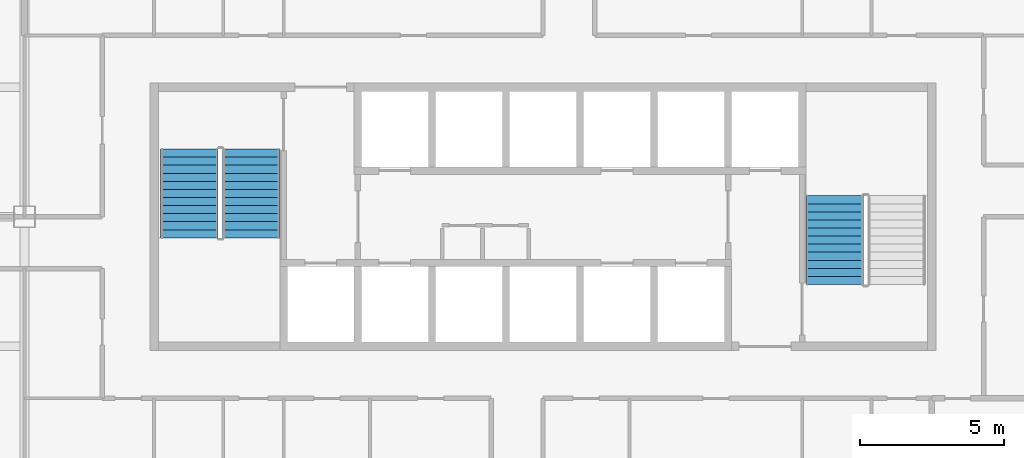
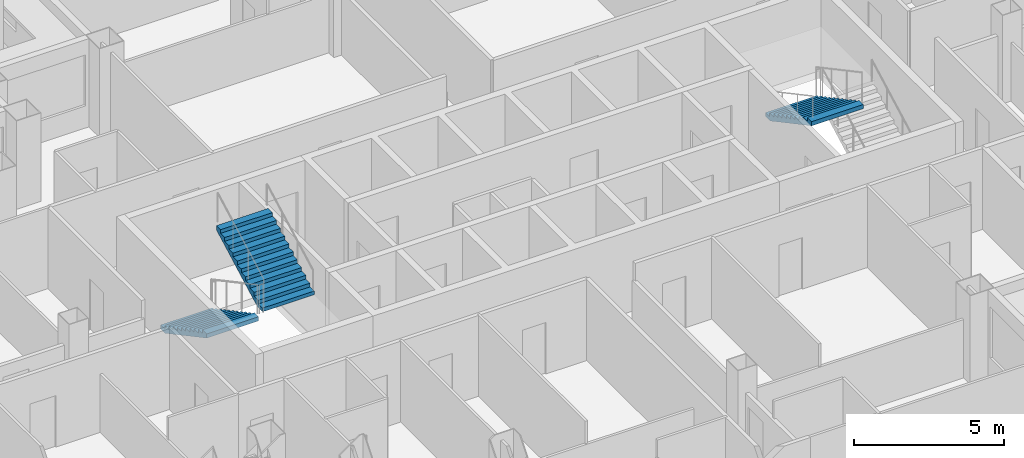
# One storey, part 11 of 19: 3 stair flights, 2 elements without a shape of their own.
"""IFC4 building model written with IfcOpenShell, lengths in metres."""

from ifc_helpers import new_model, si_unit, direction, frame, origin, place, context, subcontext, project, spatial, polygons, material, type_object, element, aggregate, save


model = new_model("IFC4")

# Units and contexts
model_context = context("Model", 3, precision=1e-05, world=origin(), true_north=direction((0.0, 1.0)))
body_context = subcontext(model_context, "Body", "Model", "MODEL_VIEW")
ifc_project = project(units=[si_unit("LENGTHUNIT", "METRE"), si_unit("AREAUNIT", "SQUARE_METRE"), si_unit("VOLUMEUNIT", "CUBIC_METRE"), si_unit("PLANEANGLEUNIT", "RADIAN"), si_unit("MASSUNIT", "GRAM", prefix="KILO")], contexts=[model_context])

# Site, building, storey
site_placement = place(None, origin())
site = spatial("IfcSite", under=ifc_project, at=site_placement, CompositionType="ELEMENT")
building_placement = place(site_placement, origin())
building = spatial("IfcBuilding", under=site, at=building_placement, Name="Caravel Reach Hotel and Residences", CompositionType="ELEMENT")
storey_placement = place(building_placement, frame((0.0, 0.0, 85.199951171875)))
storey = spatial("IfcBuildingStorey", under=building, at=storey_placement, Name="L20", CompositionType="ELEMENT", Elevation=85.199951171875)

# Stair, stair flights
ifc_material_1 = material(Name="Concrete C40", Category="concrete")
stair_type = type_object("IfcStairType", Name="Core stair", PredefinedType="HALF_TURN_STAIR", material=ifc_material_1)
stair_1_placement = place(storey_placement, origin())
stair_1 = element("IfcStair", 1, at=stair_1_placement, inside=storey, type_object=stair_type, Name="L20 Exit stair A", PredefinedType="HALF_TURN_STAIR")
ifc_material_2 = material(Name="Concrete C40", Category="concrete")
stair_flight_type = type_object("IfcStairFlightType", Name="Core stair flight", PredefinedType="STRAIGHT", material=ifc_material_2)
stair_flight_1_placement = place(storey_placement, frame((19.22509765625, 29.35009765625, 0.0), z_axis=(0.0, 0.0, 1.0), x_axis=(0.0, -1.0, 0.0)))
stair_flight_1 = element("IfcStairFlight", 2, at=stair_flight_1_placement, type_object=stair_flight_type, Name="ST-A flight 1", NumberOfRisers=12, NumberOfTreads=11, PredefinedType="STRAIGHT", RiserHeight=0.15, TreadLength=0.28, context=body_context, shape_type="Tessellation", body=[
    polygons([(0.3174408016601862, 1.0, 0.0), (0.3174408016601862, 0.6666666666666667, 0.0), (0.3174408016601862, 0.33333333333333337, 0.0), (0.3174408016601862, 0.0, 0.0), (0.3174408016601862, -0.33333333333333326, 0.0), (0.3174408016601862, -0.6666666666666667, 0.0), (0.3174408016601862, -1.0, 0.0), (3.081, 1.0, 1.479942427682043), (3.081, 0.6666666666666667, 1.479942427682043), (3.081, 0.33333333333333337, 1.479942427682043), (3.081, 0.0, 1.479942427682043), (3.081, -0.33333333333333326, 1.479942427682043), (3.081, -0.6666666666666667, 1.479942427682043), (3.081, -1.0, 1.479942427682043), (3.081, 1.0, 1.65), (3.081, 0.6666666666666667, 1.65), (3.081, 0.33333333333333337, 1.65), (3.081, 0.0, 1.65), (3.081, -0.33333333333333326, 1.65), (3.081, -0.6666666666666667, 1.65), (3.081, -1.0, 1.65), (2.8000000000000003, 1.0, 1.65), (2.8000000000000003, 0.6666666666666667, 1.65), (2.8000000000000003, 0.33333333333333337, 1.65), (2.8000000000000003, 0.0, 1.65), (2.8000000000000003, -0.33333333333333326, 1.65), (2.8000000000000003, -0.6666666666666667, 1.65), (2.8000000000000003, -1.0, 1.65), (2.8000000000000003, 1.0, 1.5), (2.8000000000000003, 0.6666666666666667, 1.5), (2.8000000000000003, 0.33333333333333337, 1.5), (2.8000000000000003, 0.0, 1.5), (2.8000000000000003, -0.33333333333333326, 1.5), (2.8000000000000003, -0.6666666666666667, 1.5), (2.8000000000000003, -1.0, 1.5), (2.5200000000000005, 1.0, 1.5), (2.5200000000000005, 0.6666666666666667, 1.5), (2.5200000000000005, 0.33333333333333337, 1.5), (2.5200000000000005, 0.0, 1.5), (2.5200000000000005, -0.33333333333333326, 1.5), (2.5200000000000005, -0.6666666666666667, 1.5), (2.5200000000000005, -1.0, 1.5), (2.5200000000000005, 1.0, 1.3499999999999999), (2.5200000000000005, 0.6666666666666667, 1.3499999999999999), (2.5200000000000005, 0.33333333333333337, 1.3499999999999999), (2.5200000000000005, 0.0, 1.3499999999999999), (2.5200000000000005, -0.33333333333333326, 1.3499999999999999), (2.5200000000000005, -0.6666666666666667, 1.3499999999999999), (2.5200000000000005, -1.0, 1.3499999999999999), (2.24, 1.0, 1.3499999999999999), (2.24, 0.6666666666666667, 1.3499999999999999), (2.24, 0.33333333333333337, 1.3499999999999999), (2.24, 0.0, 1.3499999999999999), (2.24, -0.33333333333333326, 1.3499999999999999), (2.24, -0.6666666666666667, 1.3499999999999999), (2.24, -1.0, 1.3499999999999999), (2.24, 1.0, 1.2), (2.24, 0.6666666666666667, 1.2), (2.24, 0.33333333333333337, 1.2), (2.24, 0.0, 1.2), (2.24, -0.33333333333333326, 1.2), (2.24, -0.6666666666666667, 1.2), (2.24, -1.0, 1.2), (1.9600000000000002, 1.0, 1.2), (1.9600000000000002, 0.6666666666666667, 1.2), (1.9600000000000002, 0.33333333333333337, 1.2), (1.9600000000000002, 0.0, 1.2), (1.9600000000000002, -0.33333333333333326, 1.2), (1.9600000000000002, -0.6666666666666667, 1.2), (1.9600000000000002, -1.0, 1.2), (1.9600000000000002, 1.0, 1.05), (1.9600000000000002, 0.6666666666666667, 1.05), (1.9600000000000002, 0.33333333333333337, 1.05), (1.9600000000000002, 0.0, 1.05), (1.9600000000000002, -0.33333333333333326, 1.05), (1.9600000000000002, -0.6666666666666667, 1.05), (1.9600000000000002, -1.0, 1.05), (1.6800000000000002, 1.0, 1.05), (1.6800000000000002, 0.6666666666666667, 1.05), (1.6800000000000002, 0.33333333333333337, 1.05), (1.6800000000000002, 0.0, 1.05), (1.6800000000000002, -0.33333333333333326, 1.05), (1.6800000000000002, -0.6666666666666667, 1.05), (1.6800000000000002, -1.0, 1.05), (1.6800000000000002, 1.0, 0.8999999999999999), (1.6800000000000002, 0.6666666666666667, 0.8999999999999999), (1.6800000000000002, 0.33333333333333337, 0.8999999999999999), (1.6800000000000002, 0.0, 0.8999999999999999), (1.6800000000000002, -0.33333333333333326, 0.8999999999999999), (1.6800000000000002, -0.6666666666666667, 0.8999999999999999), (1.6800000000000002, -1.0, 0.8999999999999999), (1.4000000000000001, 1.0, 0.8999999999999999), (1.4000000000000001, 0.6666666666666667, 0.8999999999999999), (1.4000000000000001, 0.33333333333333337, 0.8999999999999999), (1.4000000000000001, 0.0, 0.8999999999999999), (1.4000000000000001, -0.33333333333333326, 0.8999999999999999), (1.4000000000000001, -0.6666666666666667, 0.8999999999999999), (1.4000000000000001, -1.0, 0.8999999999999999), (1.4000000000000001, 1.0, 0.75), (1.4000000000000001, 0.6666666666666667, 0.75), (1.4000000000000001, 0.33333333333333337, 0.75), (1.4000000000000001, 0.0, 0.75), (1.4000000000000001, -0.33333333333333326, 0.75), (1.4000000000000001, -0.6666666666666667, 0.75), (1.4000000000000001, -1.0, 0.75), (1.12, 1.0, 0.75), (1.12, 0.6666666666666667, 0.75), (1.12, 0.33333333333333337, 0.75), (1.12, 0.0, 0.75), (1.12, -0.33333333333333326, 0.75), (1.12, -0.6666666666666667, 0.75), (1.12, -1.0, 0.75), (1.12, 1.0, 0.6), (1.12, 0.6666666666666667, 0.6), (1.12, 0.33333333333333337, 0.6), (1.12, 0.0, 0.6), (1.12, -0.33333333333333326, 0.6), (1.12, -0.6666666666666667, 0.6), (1.12, -1.0, 0.6), (0.8400000000000001, 1.0, 0.6), (0.8400000000000001, 0.6666666666666667, 0.6), (0.8400000000000001, 0.33333333333333337, 0.6), (0.8400000000000001, 0.0, 0.6), (0.8400000000000001, -0.33333333333333326, 0.6), (0.8400000000000001, -0.6666666666666667, 0.6), (0.8400000000000001, -1.0, 0.6), (0.8400000000000001, 1.0, 0.44999999999999996), (0.8400000000000001, 0.6666666666666667, 0.44999999999999996), (0.8400000000000001, 0.33333333333333337, 0.44999999999999996), (0.8400000000000001, 0.0, 0.44999999999999996), (0.8400000000000001, -0.33333333333333326, 0.44999999999999996), (0.8400000000000001, -0.6666666666666667, 0.44999999999999996), (0.8400000000000001, -1.0, 0.44999999999999996), (0.56, 1.0, 0.44999999999999996), (0.56, 0.6666666666666667, 0.44999999999999996), (0.56, 0.33333333333333337, 0.44999999999999996), (0.56, 0.0, 0.44999999999999996), (0.56, -0.33333333333333326, 0.44999999999999996), (0.56, -0.6666666666666667, 0.44999999999999996), (0.56, -1.0, 0.44999999999999996), (0.56, 1.0, 0.3), (0.56, 0.6666666666666667, 0.3), (0.56, 0.33333333333333337, 0.3), (0.56, 0.0, 0.3), (0.56, -0.33333333333333326, 0.3), (0.56, -0.6666666666666667, 0.3), (0.56, -1.0, 0.3), (0.28, 1.0, 0.3), (0.28, 0.6666666666666667, 0.3), (0.28, 0.33333333333333337, 0.3), (0.28, 0.0, 0.3), (0.28, -0.33333333333333326, 0.3), (0.28, -0.6666666666666667, 0.3), (0.28, -1.0, 0.3), (0.28, 1.0, 0.15), (0.28, 0.6666666666666667, 0.15), (0.28, 0.33333333333333337, 0.15), (0.28, 0.0, 0.15), (0.28, -0.33333333333333326, 0.15), (0.28, -0.6666666666666667, 0.15), (0.28, -1.0, 0.15), (-0.001, 1.0, 0.15), (-0.001, 0.6666666666666667, 0.15), (-0.001, 0.33333333333333337, 0.15), (-0.001, 0.0, 0.15), (-0.001, -0.33333333333333326, 0.15), (-0.001, -0.6666666666666667, 0.15), (-0.001, -1.0, 0.15), (-0.001, 1.0, 0.0), (-0.001, 0.6666666666666667, 0.0), (-0.001, 0.33333333333333337, 0.0), (-0.001, 0.0, 0.0), (-0.001, -0.33333333333333326, 0.0), (-0.001, -0.6666666666666667, 0.0), (-0.001, -1.0, 0.0)], [[[169, 162, 155, 148, 141, 134, 127, 120, 113, 106, 99, 92, 85, 78, 71, 64, 57, 50, 43, 36, 29, 22, 15, 8, 1]], [[7, 14, 21, 28, 35, 42, 49, 56, 63, 70, 77, 84, 91, 98, 105, 112, 119, 126, 133, 140, 147, 154, 161, 168, 175]], [[1, 8, 9, 2]], [[2, 9, 10, 3]], [[3, 10, 11, 4]], [[4, 11, 12, 5]], [[5, 12, 13, 6]], [[6, 13, 14, 7]], [[8, 15, 16, 9]], [[9, 16, 17, 10]], [[10, 17, 18, 11]], [[11, 18, 19, 12]], [[12, 19, 20, 13]], [[13, 20, 21, 14]], [[15, 22, 23, 16]], [[16, 23, 24, 17]], [[17, 24, 25, 18]], [[18, 25, 26, 19]], [[19, 26, 27, 20]], [[20, 27, 28, 21]], [[22, 29, 30, 23]], [[23, 30, 31, 24]], [[24, 31, 32, 25]], [[25, 32, 33, 26]], [[26, 33, 34, 27]], [[27, 34, 35, 28]], [[29, 36, 37, 30]], [[30, 37, 38, 31]], [[31, 38, 39, 32]], [[32, 39, 40, 33]], [[33, 40, 41, 34]], [[34, 41, 42, 35]], [[36, 43, 44, 37]], [[37, 44, 45, 38]], [[38, 45, 46, 39]], [[39, 46, 47, 40]], [[40, 47, 48, 41]], [[41, 48, 49, 42]], [[43, 50, 51, 44]], [[44, 51, 52, 45]], [[45, 52, 53, 46]], [[46, 53, 54, 47]], [[47, 54, 55, 48]], [[48, 55, 56, 49]], [[50, 57, 58, 51]], [[51, 58, 59, 52]], [[52, 59, 60, 53]], [[53, 60, 61, 54]], [[54, 61, 62, 55]], [[55, 62, 63, 56]], [[57, 64, 65, 58]], [[58, 65, 66, 59]], [[59, 66, 67, 60]], [[60, 67, 68, 61]], [[61, 68, 69, 62]], [[62, 69, 70, 63]], [[64, 71, 72, 65]], [[65, 72, 73, 66]], [[66, 73, 74, 67]], [[67, 74, 75, 68]], [[68, 75, 76, 69]], [[69, 76, 77, 70]], [[71, 78, 79, 72]], [[72, 79, 80, 73]], [[73, 80, 81, 74]], [[74, 81, 82, 75]], [[75, 82, 83, 76]], [[76, 83, 84, 77]], [[78, 85, 86, 79]], [[79, 86, 87, 80]], [[80, 87, 88, 81]], [[81, 88, 89, 82]], [[82, 89, 90, 83]], [[83, 90, 91, 84]], [[85, 92, 93, 86]], [[86, 93, 94, 87]], [[87, 94, 95, 88]], [[88, 95, 96, 89]], [[89, 96, 97, 90]], [[90, 97, 98, 91]], [[92, 99, 100, 93]], [[93, 100, 101, 94]], [[94, 101, 102, 95]], [[95, 102, 103, 96]], [[96, 103, 104, 97]], [[97, 104, 105, 98]], [[99, 106, 107, 100]], [[100, 107, 108, 101]], [[101, 108, 109, 102]], [[102, 109, 110, 103]], [[103, 110, 111, 104]], [[104, 111, 112, 105]], [[106, 113, 114, 107]], [[107, 114, 115, 108]], [[108, 115, 116, 109]], [[109, 116, 117, 110]], [[110, 117, 118, 111]], [[111, 118, 119, 112]], [[113, 120, 121, 114]], [[114, 121, 122, 115]], [[115, 122, 123, 116]], [[116, 123, 124, 117]], [[117, 124, 125, 118]], [[118, 125, 126, 119]], [[120, 127, 128, 121]], [[121, 128, 129, 122]], [[122, 129, 130, 123]], [[123, 130, 131, 124]], [[124, 131, 132, 125]], [[125, 132, 133, 126]], [[127, 134, 135, 128]], [[128, 135, 136, 129]], [[129, 136, 137, 130]], [[130, 137, 138, 131]], [[131, 138, 139, 132]], [[132, 139, 140, 133]], [[134, 141, 142, 135]], [[135, 142, 143, 136]], [[136, 143, 144, 137]], [[137, 144, 145, 138]], [[138, 145, 146, 139]], [[139, 146, 147, 140]], [[141, 148, 149, 142]], [[142, 149, 150, 143]], [[143, 150, 151, 144]], [[144, 151, 152, 145]], [[145, 152, 153, 146]], [[146, 153, 154, 147]], [[148, 155, 156, 149]], [[149, 156, 157, 150]], [[150, 157, 158, 151]], [[151, 158, 159, 152]], [[152, 159, 160, 153]], [[153, 160, 161, 154]], [[155, 162, 163, 156]], [[156, 163, 164, 157]], [[157, 164, 165, 158]], [[158, 165, 166, 159]], [[159, 166, 167, 160]], [[160, 167, 168, 161]], [[162, 169, 170, 163]], [[163, 170, 171, 164]], [[164, 171, 172, 165]], [[165, 172, 173, 166]], [[166, 173, 174, 167]], [[167, 174, 175, 168]], [[169, 1, 2, 170]], [[170, 2, 3, 171]], [[171, 3, 4, 172]], [[172, 4, 5, 173]], [[173, 5, 6, 174]], [[174, 6, 7, 175]]], closed=True),
])
stair_flight_2_placement = place(storey_placement, frame((21.375, 26.27001953125, 1.800048828125), z_axis=(0.0, 0.0, 1.0), x_axis=(0.0, 1.0, 0.0)))
stair_flight_2 = element("IfcStairFlight", 3, at=stair_flight_2_placement, type_object=stair_flight_type, Name="ST-A flight 2", NumberOfRisers=12, NumberOfTreads=11, PredefinedType="STRAIGHT", RiserHeight=0.15, TreadLength=0.28, context=body_context, shape_type="Tessellation", body=[
    polygons([(0.3174408016601862, 1.0, 0.0), (0.3174408016601862, 0.6666666666666667, 0.0), (0.3174408016601862, 0.33333333333333337, 0.0), (0.3174408016601862, 0.0, 0.0), (0.3174408016601862, -0.33333333333333326, 0.0), (0.3174408016601862, -0.6666666666666667, 0.0), (0.3174408016601862, -1.0, 0.0), (3.081, 1.0, 1.479942427682043), (3.081, 0.6666666666666667, 1.479942427682043), (3.081, 0.33333333333333337, 1.479942427682043), (3.081, 0.0, 1.479942427682043), (3.081, -0.33333333333333326, 1.479942427682043), (3.081, -0.6666666666666667, 1.479942427682043), (3.081, -1.0, 1.479942427682043), (3.081, 1.0, 1.65), (3.081, 0.6666666666666667, 1.65), (3.081, 0.33333333333333337, 1.65), (3.081, 0.0, 1.65), (3.081, -0.33333333333333326, 1.65), (3.081, -0.6666666666666667, 1.65), (3.081, -1.0, 1.65), (2.8000000000000003, 1.0, 1.65), (2.8000000000000003, 0.6666666666666667, 1.65), (2.8000000000000003, 0.33333333333333337, 1.65), (2.8000000000000003, 0.0, 1.65), (2.8000000000000003, -0.33333333333333326, 1.65), (2.8000000000000003, -0.6666666666666667, 1.65), (2.8000000000000003, -1.0, 1.65), (2.8000000000000003, 1.0, 1.5), (2.8000000000000003, 0.6666666666666667, 1.5), (2.8000000000000003, 0.33333333333333337, 1.5), (2.8000000000000003, 0.0, 1.5), (2.8000000000000003, -0.33333333333333326, 1.5), (2.8000000000000003, -0.6666666666666667, 1.5), (2.8000000000000003, -1.0, 1.5), (2.5200000000000005, 1.0, 1.5), (2.5200000000000005, 0.6666666666666667, 1.5), (2.5200000000000005, 0.33333333333333337, 1.5), (2.5200000000000005, 0.0, 1.5), (2.5200000000000005, -0.33333333333333326, 1.5), (2.5200000000000005, -0.6666666666666667, 1.5), (2.5200000000000005, -1.0, 1.5), (2.5200000000000005, 1.0, 1.3499999999999999), (2.5200000000000005, 0.6666666666666667, 1.3499999999999999), (2.5200000000000005, 0.33333333333333337, 1.3499999999999999), (2.5200000000000005, 0.0, 1.3499999999999999), (2.5200000000000005, -0.33333333333333326, 1.3499999999999999), (2.5200000000000005, -0.6666666666666667, 1.3499999999999999), (2.5200000000000005, -1.0, 1.3499999999999999), (2.24, 1.0, 1.3499999999999999), (2.24, 0.6666666666666667, 1.3499999999999999), (2.24, 0.33333333333333337, 1.3499999999999999), (2.24, 0.0, 1.3499999999999999), (2.24, -0.33333333333333326, 1.3499999999999999), (2.24, -0.6666666666666667, 1.3499999999999999), (2.24, -1.0, 1.3499999999999999), (2.24, 1.0, 1.2), (2.24, 0.6666666666666667, 1.2), (2.24, 0.33333333333333337, 1.2), (2.24, 0.0, 1.2), (2.24, -0.33333333333333326, 1.2), (2.24, -0.6666666666666667, 1.2), (2.24, -1.0, 1.2), (1.9600000000000002, 1.0, 1.2), (1.9600000000000002, 0.6666666666666667, 1.2), (1.9600000000000002, 0.33333333333333337, 1.2), (1.9600000000000002, 0.0, 1.2), (1.9600000000000002, -0.33333333333333326, 1.2), (1.9600000000000002, -0.6666666666666667, 1.2), (1.9600000000000002, -1.0, 1.2), (1.9600000000000002, 1.0, 1.05), (1.9600000000000002, 0.6666666666666667, 1.05), (1.9600000000000002, 0.33333333333333337, 1.05), (1.9600000000000002, 0.0, 1.05), (1.9600000000000002, -0.33333333333333326, 1.05), (1.9600000000000002, -0.6666666666666667, 1.05), (1.9600000000000002, -1.0, 1.05), (1.6800000000000002, 1.0, 1.05), (1.6800000000000002, 0.6666666666666667, 1.05), (1.6800000000000002, 0.33333333333333337, 1.05), (1.6800000000000002, 0.0, 1.05), (1.6800000000000002, -0.33333333333333326, 1.05), (1.6800000000000002, -0.6666666666666667, 1.05), (1.6800000000000002, -1.0, 1.05), (1.6800000000000002, 1.0, 0.8999999999999999), (1.6800000000000002, 0.6666666666666667, 0.8999999999999999), (1.6800000000000002, 0.33333333333333337, 0.8999999999999999), (1.6800000000000002, 0.0, 0.8999999999999999), (1.6800000000000002, -0.33333333333333326, 0.8999999999999999), (1.6800000000000002, -0.6666666666666667, 0.8999999999999999), (1.6800000000000002, -1.0, 0.8999999999999999), (1.4000000000000001, 1.0, 0.8999999999999999), (1.4000000000000001, 0.6666666666666667, 0.8999999999999999), (1.4000000000000001, 0.33333333333333337, 0.8999999999999999), (1.4000000000000001, 0.0, 0.8999999999999999), (1.4000000000000001, -0.33333333333333326, 0.8999999999999999), (1.4000000000000001, -0.6666666666666667, 0.8999999999999999), (1.4000000000000001, -1.0, 0.8999999999999999), (1.4000000000000001, 1.0, 0.75), (1.4000000000000001, 0.6666666666666667, 0.75), (1.4000000000000001, 0.33333333333333337, 0.75), (1.4000000000000001, 0.0, 0.75), (1.4000000000000001, -0.33333333333333326, 0.75), (1.4000000000000001, -0.6666666666666667, 0.75), (1.4000000000000001, -1.0, 0.75), (1.12, 1.0, 0.75), (1.12, 0.6666666666666667, 0.75), (1.12, 0.33333333333333337, 0.75), (1.12, 0.0, 0.75), (1.12, -0.33333333333333326, 0.75), (1.12, -0.6666666666666667, 0.75), (1.12, -1.0, 0.75), (1.12, 1.0, 0.6), (1.12, 0.6666666666666667, 0.6), (1.12, 0.33333333333333337, 0.6), (1.12, 0.0, 0.6), (1.12, -0.33333333333333326, 0.6), (1.12, -0.6666666666666667, 0.6), (1.12, -1.0, 0.6), (0.8400000000000001, 1.0, 0.6), (0.8400000000000001, 0.6666666666666667, 0.6), (0.8400000000000001, 0.33333333333333337, 0.6), (0.8400000000000001, 0.0, 0.6), (0.8400000000000001, -0.33333333333333326, 0.6), (0.8400000000000001, -0.6666666666666667, 0.6), (0.8400000000000001, -1.0, 0.6), (0.8400000000000001, 1.0, 0.44999999999999996), (0.8400000000000001, 0.6666666666666667, 0.44999999999999996), (0.8400000000000001, 0.33333333333333337, 0.44999999999999996), (0.8400000000000001, 0.0, 0.44999999999999996), (0.8400000000000001, -0.33333333333333326, 0.44999999999999996), (0.8400000000000001, -0.6666666666666667, 0.44999999999999996), (0.8400000000000001, -1.0, 0.44999999999999996), (0.56, 1.0, 0.44999999999999996), (0.56, 0.6666666666666667, 0.44999999999999996), (0.56, 0.33333333333333337, 0.44999999999999996), (0.56, 0.0, 0.44999999999999996), (0.56, -0.33333333333333326, 0.44999999999999996), (0.56, -0.6666666666666667, 0.44999999999999996), (0.56, -1.0, 0.44999999999999996), (0.56, 1.0, 0.3), (0.56, 0.6666666666666667, 0.3), (0.56, 0.33333333333333337, 0.3), (0.56, 0.0, 0.3), (0.56, -0.33333333333333326, 0.3), (0.56, -0.6666666666666667, 0.3), (0.56, -1.0, 0.3), (0.28, 1.0, 0.3), (0.28, 0.6666666666666667, 0.3), (0.28, 0.33333333333333337, 0.3), (0.28, 0.0, 0.3), (0.28, -0.33333333333333326, 0.3), (0.28, -0.6666666666666667, 0.3), (0.28, -1.0, 0.3), (0.28, 1.0, 0.15), (0.28, 0.6666666666666667, 0.15), (0.28, 0.33333333333333337, 0.15), (0.28, 0.0, 0.15), (0.28, -0.33333333333333326, 0.15), (0.28, -0.6666666666666667, 0.15), (0.28, -1.0, 0.15), (-0.001, 1.0, 0.15), (-0.001, 0.6666666666666667, 0.15), (-0.001, 0.33333333333333337, 0.15), (-0.001, 0.0, 0.15), (-0.001, -0.33333333333333326, 0.15), (-0.001, -0.6666666666666667, 0.15), (-0.001, -1.0, 0.15), (-0.001, 1.0, 0.0), (-0.001, 0.6666666666666667, 0.0), (-0.001, 0.33333333333333337, 0.0), (-0.001, 0.0, 0.0), (-0.001, -0.33333333333333326, 0.0), (-0.001, -0.6666666666666667, 0.0), (-0.001, -1.0, 0.0)], [[[169, 162, 155, 148, 141, 134, 127, 120, 113, 106, 99, 92, 85, 78, 71, 64, 57, 50, 43, 36, 29, 22, 15, 8, 1]], [[7, 14, 21, 28, 35, 42, 49, 56, 63, 70, 77, 84, 91, 98, 105, 112, 119, 126, 133, 140, 147, 154, 161, 168, 175]], [[1, 8, 9, 2]], [[2, 9, 10, 3]], [[3, 10, 11, 4]], [[4, 11, 12, 5]], [[5, 12, 13, 6]], [[6, 13, 14, 7]], [[8, 15, 16, 9]], [[9, 16, 17, 10]], [[10, 17, 18, 11]], [[11, 18, 19, 12]], [[12, 19, 20, 13]], [[13, 20, 21, 14]], [[15, 22, 23, 16]], [[16, 23, 24, 17]], [[17, 24, 25, 18]], [[18, 25, 26, 19]], [[19, 26, 27, 20]], [[20, 27, 28, 21]], [[22, 29, 30, 23]], [[23, 30, 31, 24]], [[24, 31, 32, 25]], [[25, 32, 33, 26]], [[26, 33, 34, 27]], [[27, 34, 35, 28]], [[29, 36, 37, 30]], [[30, 37, 38, 31]], [[31, 38, 39, 32]], [[32, 39, 40, 33]], [[33, 40, 41, 34]], [[34, 41, 42, 35]], [[36, 43, 44, 37]], [[37, 44, 45, 38]], [[38, 45, 46, 39]], [[39, 46, 47, 40]], [[40, 47, 48, 41]], [[41, 48, 49, 42]], [[43, 50, 51, 44]], [[44, 51, 52, 45]], [[45, 52, 53, 46]], [[46, 53, 54, 47]], [[47, 54, 55, 48]], [[48, 55, 56, 49]], [[50, 57, 58, 51]], [[51, 58, 59, 52]], [[52, 59, 60, 53]], [[53, 60, 61, 54]], [[54, 61, 62, 55]], [[55, 62, 63, 56]], [[57, 64, 65, 58]], [[58, 65, 66, 59]], [[59, 66, 67, 60]], [[60, 67, 68, 61]], [[61, 68, 69, 62]], [[62, 69, 70, 63]], [[64, 71, 72, 65]], [[65, 72, 73, 66]], [[66, 73, 74, 67]], [[67, 74, 75, 68]], [[68, 75, 76, 69]], [[69, 76, 77, 70]], [[71, 78, 79, 72]], [[72, 79, 80, 73]], [[73, 80, 81, 74]], [[74, 81, 82, 75]], [[75, 82, 83, 76]], [[76, 83, 84, 77]], [[78, 85, 86, 79]], [[79, 86, 87, 80]], [[80, 87, 88, 81]], [[81, 88, 89, 82]], [[82, 89, 90, 83]], [[83, 90, 91, 84]], [[85, 92, 93, 86]], [[86, 93, 94, 87]], [[87, 94, 95, 88]], [[88, 95, 96, 89]], [[89, 96, 97, 90]], [[90, 97, 98, 91]], [[92, 99, 100, 93]], [[93, 100, 101, 94]], [[94, 101, 102, 95]], [[95, 102, 103, 96]], [[96, 103, 104, 97]], [[97, 104, 105, 98]], [[99, 106, 107, 100]], [[100, 107, 108, 101]], [[101, 108, 109, 102]], [[102, 109, 110, 103]], [[103, 110, 111, 104]], [[104, 111, 112, 105]], [[106, 113, 114, 107]], [[107, 114, 115, 108]], [[108, 115, 116, 109]], [[109, 116, 117, 110]], [[110, 117, 118, 111]], [[111, 118, 119, 112]], [[113, 120, 121, 114]], [[114, 121, 122, 115]], [[115, 122, 123, 116]], [[116, 123, 124, 117]], [[117, 124, 125, 118]], [[118, 125, 126, 119]], [[120, 127, 128, 121]], [[121, 128, 129, 122]], [[122, 129, 130, 123]], [[123, 130, 131, 124]], [[124, 131, 132, 125]], [[125, 132, 133, 126]], [[127, 134, 135, 128]], [[128, 135, 136, 129]], [[129, 136, 137, 130]], [[130, 137, 138, 131]], [[131, 138, 139, 132]], [[132, 139, 140, 133]], [[134, 141, 142, 135]], [[135, 142, 143, 136]], [[136, 143, 144, 137]], [[137, 144, 145, 138]], [[138, 145, 146, 139]], [[139, 146, 147, 140]], [[141, 148, 149, 142]], [[142, 149, 150, 143]], [[143, 150, 151, 144]], [[144, 151, 152, 145]], [[145, 152, 153, 146]], [[146, 153, 154, 147]], [[148, 155, 156, 149]], [[149, 156, 157, 150]], [[150, 157, 158, 151]], [[151, 158, 159, 152]], [[152, 159, 160, 153]], [[153, 160, 161, 154]], [[155, 162, 163, 156]], [[156, 163, 164, 157]], [[157, 164, 165, 158]], [[158, 165, 166, 159]], [[159, 166, 167, 160]], [[160, 167, 168, 161]], [[162, 169, 170, 163]], [[163, 170, 171, 164]], [[164, 171, 172, 165]], [[165, 172, 173, 166]], [[166, 173, 174, 167]], [[167, 174, 175, 168]], [[169, 1, 2, 170]], [[170, 2, 3, 171]], [[171, 3, 4, 172]], [[172, 4, 5, 173]], [[173, 5, 6, 174]], [[174, 6, 7, 175]]], closed=True),
])
aggregate(stair_1, [stair_flight_1, stair_flight_2])

# Stair, stair flight
stair_2_placement = place(storey_placement, origin())
stair_2 = element("IfcStair", 4, at=stair_2_placement, inside=storey, type_object=stair_type, Name="L20 Exit stair B", PredefinedType="HALF_TURN_STAIR")
stair_flight_3_placement = place(storey_placement, frame((41.625, 27.72998046875, 1.800048828125), z_axis=(0.0, 0.0, 1.0), x_axis=(0.0, -1.0, 0.0)))
stair_flight_3 = element("IfcStairFlight", 5, at=stair_flight_3_placement, type_object=stair_flight_type, Name="ST-B flight 2", NumberOfRisers=12, NumberOfTreads=11, PredefinedType="STRAIGHT", RiserHeight=0.15, TreadLength=0.28, context=body_context, shape_type="Tessellation", body=[
    polygons([(0.3174408016601862, 1.0, 0.0), (0.3174408016601862, 0.6666666666666667, 0.0), (0.3174408016601862, 0.33333333333333337, 0.0), (0.3174408016601862, 0.0, 0.0), (0.3174408016601862, -0.33333333333333326, 0.0), (0.3174408016601862, -0.6666666666666667, 0.0), (0.3174408016601862, -1.0, 0.0), (3.081, 1.0, 1.479942427682043), (3.081, 0.6666666666666667, 1.479942427682043), (3.081, 0.33333333333333337, 1.479942427682043), (3.081, 0.0, 1.479942427682043), (3.081, -0.33333333333333326, 1.479942427682043), (3.081, -0.6666666666666667, 1.479942427682043), (3.081, -1.0, 1.479942427682043), (3.081, 1.0, 1.65), (3.081, 0.6666666666666667, 1.65), (3.081, 0.33333333333333337, 1.65), (3.081, 0.0, 1.65), (3.081, -0.33333333333333326, 1.65), (3.081, -0.6666666666666667, 1.65), (3.081, -1.0, 1.65), (2.8000000000000003, 1.0, 1.65), (2.8000000000000003, 0.6666666666666667, 1.65), (2.8000000000000003, 0.33333333333333337, 1.65), (2.8000000000000003, 0.0, 1.65), (2.8000000000000003, -0.33333333333333326, 1.65), (2.8000000000000003, -0.6666666666666667, 1.65), (2.8000000000000003, -1.0, 1.65), (2.8000000000000003, 1.0, 1.5), (2.8000000000000003, 0.6666666666666667, 1.5), (2.8000000000000003, 0.33333333333333337, 1.5), (2.8000000000000003, 0.0, 1.5), (2.8000000000000003, -0.33333333333333326, 1.5), (2.8000000000000003, -0.6666666666666667, 1.5), (2.8000000000000003, -1.0, 1.5), (2.5200000000000005, 1.0, 1.5), (2.5200000000000005, 0.6666666666666667, 1.5), (2.5200000000000005, 0.33333333333333337, 1.5), (2.5200000000000005, 0.0, 1.5), (2.5200000000000005, -0.33333333333333326, 1.5), (2.5200000000000005, -0.6666666666666667, 1.5), (2.5200000000000005, -1.0, 1.5), (2.5200000000000005, 1.0, 1.3499999999999999), (2.5200000000000005, 0.6666666666666667, 1.3499999999999999), (2.5200000000000005, 0.33333333333333337, 1.3499999999999999), (2.5200000000000005, 0.0, 1.3499999999999999), (2.5200000000000005, -0.33333333333333326, 1.3499999999999999), (2.5200000000000005, -0.6666666666666667, 1.3499999999999999), (2.5200000000000005, -1.0, 1.3499999999999999), (2.24, 1.0, 1.3499999999999999), (2.24, 0.6666666666666667, 1.3499999999999999), (2.24, 0.33333333333333337, 1.3499999999999999), (2.24, 0.0, 1.3499999999999999), (2.24, -0.33333333333333326, 1.3499999999999999), (2.24, -0.6666666666666667, 1.3499999999999999), (2.24, -1.0, 1.3499999999999999), (2.24, 1.0, 1.2), (2.24, 0.6666666666666667, 1.2), (2.24, 0.33333333333333337, 1.2), (2.24, 0.0, 1.2), (2.24, -0.33333333333333326, 1.2), (2.24, -0.6666666666666667, 1.2), (2.24, -1.0, 1.2), (1.9600000000000002, 1.0, 1.2), (1.9600000000000002, 0.6666666666666667, 1.2), (1.9600000000000002, 0.33333333333333337, 1.2), (1.9600000000000002, 0.0, 1.2), (1.9600000000000002, -0.33333333333333326, 1.2), (1.9600000000000002, -0.6666666666666667, 1.2), (1.9600000000000002, -1.0, 1.2), (1.9600000000000002, 1.0, 1.05), (1.9600000000000002, 0.6666666666666667, 1.05), (1.9600000000000002, 0.33333333333333337, 1.05), (1.9600000000000002, 0.0, 1.05), (1.9600000000000002, -0.33333333333333326, 1.05), (1.9600000000000002, -0.6666666666666667, 1.05), (1.9600000000000002, -1.0, 1.05), (1.6800000000000002, 1.0, 1.05), (1.6800000000000002, 0.6666666666666667, 1.05), (1.6800000000000002, 0.33333333333333337, 1.05), (1.6800000000000002, 0.0, 1.05), (1.6800000000000002, -0.33333333333333326, 1.05), (1.6800000000000002, -0.6666666666666667, 1.05), (1.6800000000000002, -1.0, 1.05), (1.6800000000000002, 1.0, 0.8999999999999999), (1.6800000000000002, 0.6666666666666667, 0.8999999999999999), (1.6800000000000002, 0.33333333333333337, 0.8999999999999999), (1.6800000000000002, 0.0, 0.8999999999999999), (1.6800000000000002, -0.33333333333333326, 0.8999999999999999), (1.6800000000000002, -0.6666666666666667, 0.8999999999999999), (1.6800000000000002, -1.0, 0.8999999999999999), (1.4000000000000001, 1.0, 0.8999999999999999), (1.4000000000000001, 0.6666666666666667, 0.8999999999999999), (1.4000000000000001, 0.33333333333333337, 0.8999999999999999), (1.4000000000000001, 0.0, 0.8999999999999999), (1.4000000000000001, -0.33333333333333326, 0.8999999999999999), (1.4000000000000001, -0.6666666666666667, 0.8999999999999999), (1.4000000000000001, -1.0, 0.8999999999999999), (1.4000000000000001, 1.0, 0.75), (1.4000000000000001, 0.6666666666666667, 0.75), (1.4000000000000001, 0.33333333333333337, 0.75), (1.4000000000000001, 0.0, 0.75), (1.4000000000000001, -0.33333333333333326, 0.75), (1.4000000000000001, -0.6666666666666667, 0.75), (1.4000000000000001, -1.0, 0.75), (1.12, 1.0, 0.75), (1.12, 0.6666666666666667, 0.75), (1.12, 0.33333333333333337, 0.75), (1.12, 0.0, 0.75), (1.12, -0.33333333333333326, 0.75), (1.12, -0.6666666666666667, 0.75), (1.12, -1.0, 0.75), (1.12, 1.0, 0.6), (1.12, 0.6666666666666667, 0.6), (1.12, 0.33333333333333337, 0.6), (1.12, 0.0, 0.6), (1.12, -0.33333333333333326, 0.6), (1.12, -0.6666666666666667, 0.6), (1.12, -1.0, 0.6), (0.8400000000000001, 1.0, 0.6), (0.8400000000000001, 0.6666666666666667, 0.6), (0.8400000000000001, 0.33333333333333337, 0.6), (0.8400000000000001, 0.0, 0.6), (0.8400000000000001, -0.33333333333333326, 0.6), (0.8400000000000001, -0.6666666666666667, 0.6), (0.8400000000000001, -1.0, 0.6), (0.8400000000000001, 1.0, 0.44999999999999996), (0.8400000000000001, 0.6666666666666667, 0.44999999999999996), (0.8400000000000001, 0.33333333333333337, 0.44999999999999996), (0.8400000000000001, 0.0, 0.44999999999999996), (0.8400000000000001, -0.33333333333333326, 0.44999999999999996), (0.8400000000000001, -0.6666666666666667, 0.44999999999999996), (0.8400000000000001, -1.0, 0.44999999999999996), (0.56, 1.0, 0.44999999999999996), (0.56, 0.6666666666666667, 0.44999999999999996), (0.56, 0.33333333333333337, 0.44999999999999996), (0.56, 0.0, 0.44999999999999996), (0.56, -0.33333333333333326, 0.44999999999999996), (0.56, -0.6666666666666667, 0.44999999999999996), (0.56, -1.0, 0.44999999999999996), (0.56, 1.0, 0.3), (0.56, 0.6666666666666667, 0.3), (0.56, 0.33333333333333337, 0.3), (0.56, 0.0, 0.3), (0.56, -0.33333333333333326, 0.3), (0.56, -0.6666666666666667, 0.3), (0.56, -1.0, 0.3), (0.28, 1.0, 0.3), (0.28, 0.6666666666666667, 0.3), (0.28, 0.33333333333333337, 0.3), (0.28, 0.0, 0.3), (0.28, -0.33333333333333326, 0.3), (0.28, -0.6666666666666667, 0.3), (0.28, -1.0, 0.3), (0.28, 1.0, 0.15), (0.28, 0.6666666666666667, 0.15), (0.28, 0.33333333333333337, 0.15), (0.28, 0.0, 0.15), (0.28, -0.33333333333333326, 0.15), (0.28, -0.6666666666666667, 0.15), (0.28, -1.0, 0.15), (-0.001, 1.0, 0.15), (-0.001, 0.6666666666666667, 0.15), (-0.001, 0.33333333333333337, 0.15), (-0.001, 0.0, 0.15), (-0.001, -0.33333333333333326, 0.15), (-0.001, -0.6666666666666667, 0.15), (-0.001, -1.0, 0.15), (-0.001, 1.0, 0.0), (-0.001, 0.6666666666666667, 0.0), (-0.001, 0.33333333333333337, 0.0), (-0.001, 0.0, 0.0), (-0.001, -0.33333333333333326, 0.0), (-0.001, -0.6666666666666667, 0.0), (-0.001, -1.0, 0.0)], [[[169, 162, 155, 148, 141, 134, 127, 120, 113, 106, 99, 92, 85, 78, 71, 64, 57, 50, 43, 36, 29, 22, 15, 8, 1]], [[7, 14, 21, 28, 35, 42, 49, 56, 63, 70, 77, 84, 91, 98, 105, 112, 119, 126, 133, 140, 147, 154, 161, 168, 175]], [[1, 8, 9, 2]], [[2, 9, 10, 3]], [[3, 10, 11, 4]], [[4, 11, 12, 5]], [[5, 12, 13, 6]], [[6, 13, 14, 7]], [[8, 15, 16, 9]], [[9, 16, 17, 10]], [[10, 17, 18, 11]], [[11, 18, 19, 12]], [[12, 19, 20, 13]], [[13, 20, 21, 14]], [[15, 22, 23, 16]], [[16, 23, 24, 17]], [[17, 24, 25, 18]], [[18, 25, 26, 19]], [[19, 26, 27, 20]], [[20, 27, 28, 21]], [[22, 29, 30, 23]], [[23, 30, 31, 24]], [[24, 31, 32, 25]], [[25, 32, 33, 26]], [[26, 33, 34, 27]], [[27, 34, 35, 28]], [[29, 36, 37, 30]], [[30, 37, 38, 31]], [[31, 38, 39, 32]], [[32, 39, 40, 33]], [[33, 40, 41, 34]], [[34, 41, 42, 35]], [[36, 43, 44, 37]], [[37, 44, 45, 38]], [[38, 45, 46, 39]], [[39, 46, 47, 40]], [[40, 47, 48, 41]], [[41, 48, 49, 42]], [[43, 50, 51, 44]], [[44, 51, 52, 45]], [[45, 52, 53, 46]], [[46, 53, 54, 47]], [[47, 54, 55, 48]], [[48, 55, 56, 49]], [[50, 57, 58, 51]], [[51, 58, 59, 52]], [[52, 59, 60, 53]], [[53, 60, 61, 54]], [[54, 61, 62, 55]], [[55, 62, 63, 56]], [[57, 64, 65, 58]], [[58, 65, 66, 59]], [[59, 66, 67, 60]], [[60, 67, 68, 61]], [[61, 68, 69, 62]], [[62, 69, 70, 63]], [[64, 71, 72, 65]], [[65, 72, 73, 66]], [[66, 73, 74, 67]], [[67, 74, 75, 68]], [[68, 75, 76, 69]], [[69, 76, 77, 70]], [[71, 78, 79, 72]], [[72, 79, 80, 73]], [[73, 80, 81, 74]], [[74, 81, 82, 75]], [[75, 82, 83, 76]], [[76, 83, 84, 77]], [[78, 85, 86, 79]], [[79, 86, 87, 80]], [[80, 87, 88, 81]], [[81, 88, 89, 82]], [[82, 89, 90, 83]], [[83, 90, 91, 84]], [[85, 92, 93, 86]], [[86, 93, 94, 87]], [[87, 94, 95, 88]], [[88, 95, 96, 89]], [[89, 96, 97, 90]], [[90, 97, 98, 91]], [[92, 99, 100, 93]], [[93, 100, 101, 94]], [[94, 101, 102, 95]], [[95, 102, 103, 96]], [[96, 103, 104, 97]], [[97, 104, 105, 98]], [[99, 106, 107, 100]], [[100, 107, 108, 101]], [[101, 108, 109, 102]], [[102, 109, 110, 103]], [[103, 110, 111, 104]], [[104, 111, 112, 105]], [[106, 113, 114, 107]], [[107, 114, 115, 108]], [[108, 115, 116, 109]], [[109, 116, 117, 110]], [[110, 117, 118, 111]], [[111, 118, 119, 112]], [[113, 120, 121, 114]], [[114, 121, 122, 115]], [[115, 122, 123, 116]], [[116, 123, 124, 117]], [[117, 124, 125, 118]], [[118, 125, 126, 119]], [[120, 127, 128, 121]], [[121, 128, 129, 122]], [[122, 129, 130, 123]], [[123, 130, 131, 124]], [[124, 131, 132, 125]], [[125, 132, 133, 126]], [[127, 134, 135, 128]], [[128, 135, 136, 129]], [[129, 136, 137, 130]], [[130, 137, 138, 131]], [[131, 138, 139, 132]], [[132, 139, 140, 133]], [[134, 141, 142, 135]], [[135, 142, 143, 136]], [[136, 143, 144, 137]], [[137, 144, 145, 138]], [[138, 145, 146, 139]], [[139, 146, 147, 140]], [[141, 148, 149, 142]], [[142, 149, 150, 143]], [[143, 150, 151, 144]], [[144, 151, 152, 145]], [[145, 152, 153, 146]], [[146, 153, 154, 147]], [[148, 155, 156, 149]], [[149, 156, 157, 150]], [[150, 157, 158, 151]], [[151, 158, 159, 152]], [[152, 159, 160, 153]], [[153, 160, 161, 154]], [[155, 162, 163, 156]], [[156, 163, 164, 157]], [[157, 164, 165, 158]], [[158, 165, 166, 159]], [[159, 166, 167, 160]], [[160, 167, 168, 161]], [[162, 169, 170, 163]], [[163, 170, 171, 164]], [[164, 171, 172, 165]], [[165, 172, 173, 166]], [[166, 173, 174, 167]], [[167, 174, 175, 168]], [[169, 1, 2, 170]], [[170, 2, 3, 171]], [[171, 3, 4, 172]], [[172, 4, 5, 173]], [[173, 5, 6, 174]], [[174, 6, 7, 175]]], closed=True),
])
aggregate(stair_2, [stair_flight_3])

save(model, "model.ifc")
